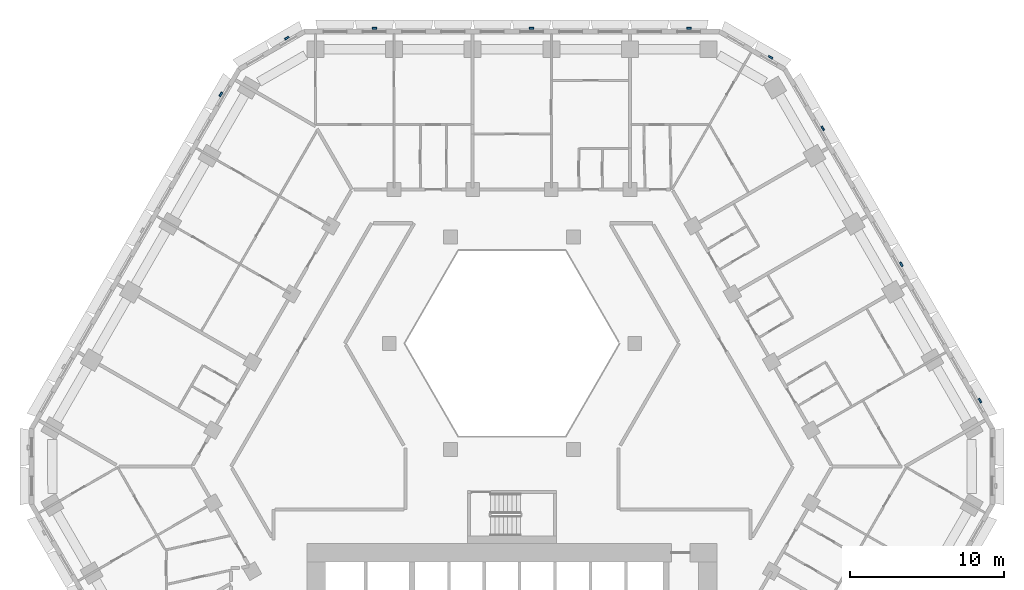
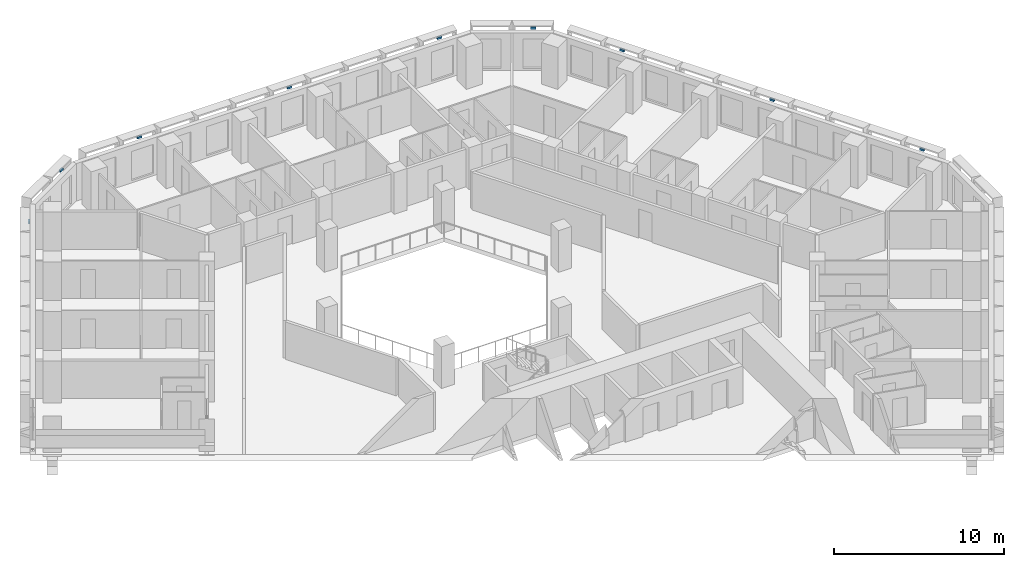
# One storey, part 15 of 21: 9 discrete accessories.
"""IFC4 building model written with IfcOpenShell, lengths in metres."""

from ifc_helpers import new_model, si_unit, direction, frame, origin, place, context, subcontext, project, spatial, polyline, outline, extrude, source, transform, mapped, material, type_object, type_shapes, element, save


model = new_model("IFC4")

# Units and contexts
model_context = context("Model", 3, precision=1e-05, world=origin(), true_north=direction((0.0, 1.0)))
body_context = subcontext(model_context, "Body", "Model", "MODEL_VIEW")
ifc_project = project(units=[si_unit("LENGTHUNIT", "METRE"), si_unit("AREAUNIT", "SQUARE_METRE"), si_unit("VOLUMEUNIT", "CUBIC_METRE"), si_unit("PLANEANGLEUNIT", "RADIAN"), si_unit("MASSUNIT", "GRAM", prefix="KILO")], contexts=[model_context])

# Site, building, storey
site_placement = place(None, origin())
site = spatial("IfcSite", under=ifc_project, at=site_placement, CompositionType="ELEMENT")
building_placement = place(site_placement, origin())
building = spatial("IfcBuilding", under=site, at=building_placement, Name="Beryl Residences", CompositionType="ELEMENT")
storey_placement = place(building_placement, frame((0.0, 0.0, 41.39990234375)))
storey = spatial("IfcBuildingStorey", under=building, at=storey_placement, Name="L12", CompositionType="ELEMENT", Elevation=41.39990234375)

# Discrete accessories
ifc_material = material(Name="Steel S355", Category="steel")
discrete_accessory_type = type_object("IfcDiscreteAccessoryType", Name="BR1 frame bracket 300 x 120 x 150 mm", PredefinedType="BRACKET", material=ifc_material)
shared_shape = source(origin(), body_context, "Body", "SweptSolid", [
    extrude(outline(polyline([(-0.14990234375, 0.0), (0.14990234375, 0.0), (0.14990234375, 0.1201171875), (-0.14990234375, 0.1201171875), (-0.14990234375, 0.0)])), origin(), (0.0, 0.0, 1.0), 0.14990234375),
])
type_shapes(discrete_accessory_type, [shared_shape])
for number, where, z_axis, x_axis, name in (
    (1, (11.48291015625, 28.39990234375, 2.75), (0.0, 0.0, 1.0), (1.0, 0.0, 0.0), "BR1 bracket L12 N 1"),
    (2, (1.27490234375, 28.39990234375, 2.75), (0.0, 0.0, 1.0), (1.0, 0.0, 0.0), "BR1 bracket L12 N 5"),
    (3, (-8.93310546875, 28.39990234375, 2.75), (0.0, 0.0, 1.0), (1.0, 0.0, 0.0), "BR1 bracket L12 N 9"),
    (4, (-14.593017578125, 27.77490234375, 2.75), (0.0, 0.0, 1.0), (0.866025403784, 0.5, 0.0), "BR1 bracket L12 N-NW 1"),
    (5, (-18.85400390625, 24.14501953125, 2.75), (0.0, 0.0, 1.0), (0.5, 0.866025403784, 0.0), "BR1 bracket L12 NW 1"),
    (6, (30.3359375, 4.2548828125, 2.75), (0.0, 0.0, 1.0), (0.5, -0.866025403784, 0.0), "BR1 bracket L12 NE 1"),
    (7, (25.23193359375, 13.095947265625, 2.75), (0.0, 0.0, 1.0), (0.5, -0.866025403784, 0.0), "BR1 bracket L12 NE 5"),
    (8, (20.12890625, 21.93603515625, 2.75), (0.0, 0.0, 1.0), (0.5, -0.866025403784, 0.0), "BR1 bracket L12 NE 9"),
    (9, (16.758056640625, 26.52490234375, 2.75), (0.0, 0.0, 1.0), (0.866025403784, -0.5, 0.0), "BR1 bracket L12 NE-N 1"),
):
    element("IfcDiscreteAccessory", number, at=place(storey_placement, frame(where, z_axis=z_axis, x_axis=x_axis)), inside=storey, type_object=discrete_accessory_type, Name=name, PredefinedType="BRACKET", context=body_context, shape_type="MappedRepresentation", body=[
        mapped(shared_shape, transform((0.0, 0.0, 0.0))),
    ])

save(model, "model.ifc")
